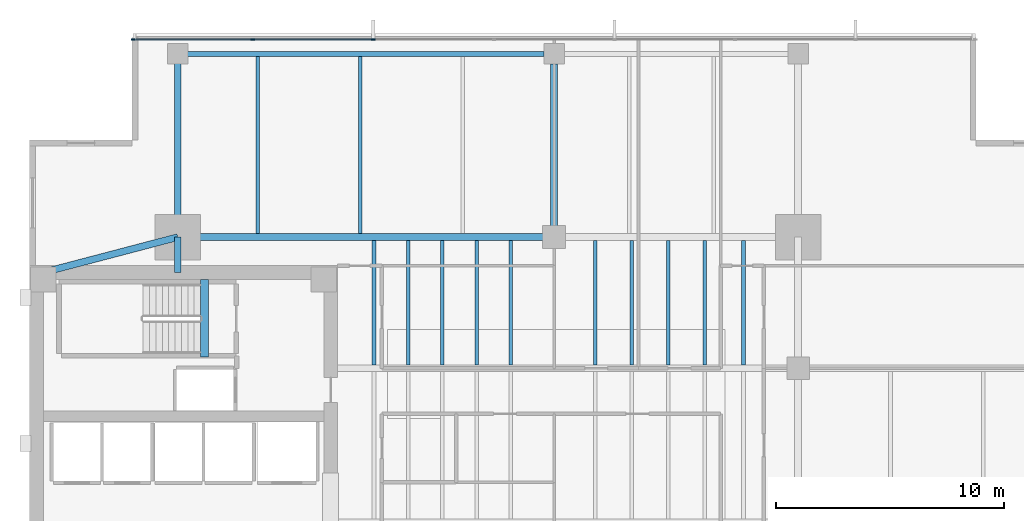
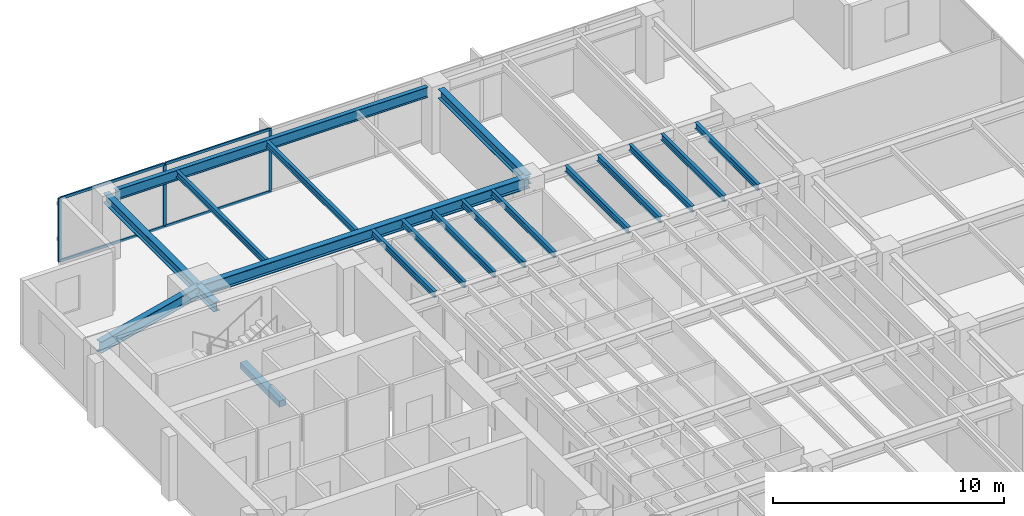
# One storey, part 5 of 14: 19 beams, 7 members, 1 element without a shape of its own.
"""IFC4 building model written with IfcOpenShell, lengths in metres."""

from ifc_helpers import new_model, si_unit, direction, frame, origin, origin_2d, place, context, subcontext, project, spatial, rectangle, i_section, extrude, material, layer, layer_set, material_profile, profile_set, type_object, element, aggregate, save


model = new_model("IFC4")

# Units and contexts
model_context = context("Model", 3, precision=1e-05, world=origin(), true_north=direction((0.0, 1.0)))
body_context = subcontext(model_context, "Body", "Model", "MODEL_VIEW")
ifc_project = project(units=[si_unit("LENGTHUNIT", "METRE"), si_unit("AREAUNIT", "SQUARE_METRE"), si_unit("VOLUMEUNIT", "CUBIC_METRE"), si_unit("PLANEANGLEUNIT", "RADIAN"), si_unit("MASSUNIT", "GRAM", prefix="KILO")], contexts=[model_context])

# Site, building, storey
site_placement = place(None, origin())
site = spatial("IfcSite", under=ifc_project, at=site_placement, CompositionType="ELEMENT")
building_placement = place(site_placement, origin())
building = spatial("IfcBuilding", under=site, at=building_placement, Name="Kinhvarn Gate Tower", CompositionType="ELEMENT")
storey_placement = place(building_placement, frame((0.0, 0.0, 151.949951171875)))
storey = spatial("IfcBuildingStorey", under=building, at=storey_placement, Name="L40", CompositionType="ELEMENT", Elevation=151.949951171875)

# Beam
ifc_material_1 = material(Name="Concrete C50/60", Category="concrete")
ifc_material_profile_1 = material_profile(ifc_material_1, rectangle(XDim=0.340087890625, YDim=0.320068359375, at=origin_2d()), Name="RC 340x320")
ifc_profile_set_1 = profile_set([ifc_material_profile_1], Name="Concrete C50/60")
beam_type_1 = type_object("IfcBeamType", Name="BM-LND-500", PredefinedType="BEAM", material=ifc_profile_set_1)
beam_1_placement = place(storey_placement, frame((12.1650390625, 32.5, -0.159912109375), z_axis=(0.0, 1.0, 0.0), x_axis=(-1.0, 0.0, 0.0)))
element("IfcBeam", 1, at=beam_1_placement, inside=storey, type_object=beam_type_1, Name="Stair ST2 Landing Nosing Beam (L40)", PredefinedType="BEAM", context=body_context, shape_type="SweptSolid", body=[
    extrude(rectangle(XDim=0.340087890625, YDim=0.320068359375, at=origin_2d()), origin(), (0.0, 0.0, 1.0), 3.39990234375),
])

# Curtain wall, members
ifc_material_2 = material(Name="Anodised aluminium AW-6063", Category="aluminium")
ifc_layer = layer(ifc_material_2, 0.179931640625)
ifc_layer_set = layer_set([ifc_layer], Name="Anodised aluminium AW-6063")
curtain_wall_type = type_object("IfcCurtainWallType", Name="CW-SYS-3", PredefinedType="NOTDEFINED", material=ifc_layer_set)
curtain_wall_placement = place(storey_placement, origin())
curtain_wall = element("IfcCurtainWall", 2, at=curtain_wall_placement, inside=storey, type_object=curtain_wall_type, Name="Curtain Wall CW3 (L40)", PredefinedType="NOTDEFINED")
ifc_material_profile_2 = material_profile(ifc_material_2, rectangle(XDim=0.06494140625, YDim=0.159912109375, at=origin_2d()), Name="ALU 65x160")
ifc_profile_set_2 = profile_set([ifc_material_profile_2], Name="Anodised aluminium AW-6063")
member_type_1 = type_object("IfcMemberType", Name="CW-MUL-160", PredefinedType="MULLION", material=ifc_profile_set_2)
member_1_placement = place(storey_placement, frame((19.571533203125, 46.409912109375, 0.0), z_axis=(0.0, 0.0, 1.0), x_axis=(0.0, -1.0, 0.0)))
member_1 = element("IfcMember", 3, at=member_1_placement, type_object=member_type_1, Name="CW3 mullion 6", PredefinedType="MULLION", context=body_context, shape_type="SweptSolid", body=[
    extrude(rectangle(XDim=0.06494140625, YDim=0.159912109375, at=origin_2d()), origin(), (0.0, 0.0, 1.0), 3.3701171875),
])
member_2_placement = place(storey_placement, frame((14.28564453125, 46.409912109375, 0.0), z_axis=(0.0, 0.0, 1.0), x_axis=(0.0, -1.0, 0.0)))
member_2 = element("IfcMember", 4, at=member_2_placement, type_object=member_type_1, Name="CW3 mullion 7", PredefinedType="MULLION", context=body_context, shape_type="SweptSolid", body=[
    extrude(rectangle(XDim=0.06494140625, YDim=0.159912109375, at=origin_2d()), origin(), (0.0, 0.0, 1.0), 3.3701171875),
])
member_3_placement = place(storey_placement, frame((9.032470703125, 46.409912109375, 0.0), z_axis=(0.0, 0.0, 1.0), x_axis=(0.0, -1.0, 0.0)))
member_3 = element("IfcMember", 5, at=member_3_placement, type_object=member_type_1, Name="CW3 mullion 8", PredefinedType="MULLION", context=body_context, shape_type="SweptSolid", body=[
    extrude(rectangle(XDim=0.06494140625, YDim=0.159912109375, at=origin_2d()), origin(), (0.0, 0.0, 1.0), 3.3701171875),
])
ifc_material_profile_3 = material_profile(ifc_material_2, rectangle(XDim=0.070068359375, YDim=0.139892578125, at=origin_2d()), Name="ALU 70x140")
ifc_profile_set_3 = profile_set([ifc_material_profile_3], Name="Anodised aluminium AW-6063")
member_type_2 = type_object("IfcMemberType", Name="CW-TRN-140", PredefinedType="USERDEFINED", material=ifc_profile_set_3)
member_4_placement = place(storey_placement, frame((19.538818359375, 46.409912109375, 0.03515625), z_axis=(-1.0, 0.0, 0.0), x_axis=(0.0, -1.0, 0.0)))
member_4 = element("IfcMember", 6, at=member_4_placement, type_object=member_type_2, Name="CW3 transom 6.1", ObjectType="TRANSOM", PredefinedType="USERDEFINED", context=body_context, shape_type="SweptSolid", body=[
    extrude(rectangle(XDim=0.070068359375, YDim=0.139892578125, at=origin_2d()), origin(), (0.0, 0.0, 1.0), 5.220703125),
])
member_5_placement = place(storey_placement, frame((19.538818359375, 46.409912109375, 3.3349609375), z_axis=(-1.0, 0.0, 0.0), x_axis=(0.0, -1.0, 0.0)))
member_5 = element("IfcMember", 7, at=member_5_placement, type_object=member_type_2, Name="CW3 transom 6.2", ObjectType="TRANSOM", PredefinedType="USERDEFINED", context=body_context, shape_type="SweptSolid", body=[
    extrude(rectangle(XDim=0.070068359375, YDim=0.139892578125, at=origin_2d()), origin(), (0.0, 0.0, 1.0), 5.220703125),
])
member_6_placement = place(storey_placement, frame((14.253173828125, 46.409912109375, 0.03515625), z_axis=(-1.0, 0.0, 0.0), x_axis=(0.0, -1.0, 0.0)))
member_6 = element("IfcMember", 8, at=member_6_placement, type_object=member_type_2, Name="CW3 transom 7.1", ObjectType="TRANSOM", PredefinedType="USERDEFINED", context=body_context, shape_type="SweptSolid", body=[
    extrude(rectangle(XDim=0.070068359375, YDim=0.139892578125, at=origin_2d()), origin(), (0.0, 0.0, 1.0), 5.188232421875),
])
member_7_placement = place(storey_placement, frame((14.253173828125, 46.409912109375, 3.3349609375), z_axis=(-1.0, 0.0, 0.0), x_axis=(0.0, -1.0, 0.0)))
member_7 = element("IfcMember", 9, at=member_7_placement, type_object=member_type_2, Name="CW3 transom 7.2", ObjectType="TRANSOM", PredefinedType="USERDEFINED", context=body_context, shape_type="SweptSolid", body=[
    extrude(rectangle(XDim=0.070068359375, YDim=0.139892578125, at=origin_2d()), origin(), (0.0, 0.0, 1.0), 5.188232421875),
])
aggregate(curtain_wall, [member_1, member_2, member_3, member_4, member_5, member_6, member_7])

# Beams
ifc_material_3 = material(Name="Steel S355", Category="steel")
ifc_material_profile_4 = material_profile(ifc_material_3, i_section(OverallWidth=0.300048828125, OverallDepth=0.5, WebThickness=0.014404296875, FlangeThickness=0.028076171875, at=origin_2d()), Name="HEB 500")
ifc_profile_set_4 = profile_set([ifc_material_profile_4], Name="Steel S355")
beam_type_2 = type_object("IfcBeamType", Name="STL-HEB500", PredefinedType="BEAM", material=ifc_profile_set_4)
beam_2_placement = place(storey_placement, frame((11.0, 36.199951171875, 3.1201171875), z_axis=(0.0, 1.0, 0.0), x_axis=(-1.0, 0.0, 0.0)))
element("IfcBeam", 10, at=beam_2_placement, inside=storey, type_object=beam_type_2, Name="Floor Beam PG-14 (L40 MCW-CN)", PredefinedType="BEAM", context=body_context, shape_type="SweptSolid", body=[
    extrude(i_section(OverallWidth=0.300048828125, OverallDepth=0.5, WebThickness=0.014404296875, FlangeThickness=0.028076171875, at=origin_2d()), origin(), (0.0, 0.0, 1.0), 1.550048828125),
])
beam_3_placement = place(storey_placement, frame((11.0, 37.75, 3.1201171875), z_axis=(0.0, 1.0, 0.0), x_axis=(-1.0, 0.0, 0.0)))
element("IfcBeam", 11, at=beam_3_placement, inside=storey, type_object=beam_type_2, Name="Floor Beam PG-14 (L40 MCW-N)", PredefinedType="BEAM", context=body_context, shape_type="SweptSolid", body=[
    extrude(i_section(OverallWidth=0.300048828125, OverallDepth=0.5, WebThickness=0.014404296875, FlangeThickness=0.028076171875, at=origin_2d()), origin(), (0.0, 0.0, 1.0), 8.030029296875),
])
beam_4_placement = place(storey_placement, frame((27.5, 37.75, 3.1201171875), z_axis=(0.0, 1.0, 0.0), x_axis=(-1.0, 0.0, 0.0)))
element("IfcBeam", 12, at=beam_4_placement, inside=storey, type_object=beam_type_2, Name="Floor Beam PG-14 (L40 SP27-N-TIE)", PredefinedType="BEAM", context=body_context, shape_type="SweptSolid", body=[
    extrude(i_section(OverallWidth=0.300048828125, OverallDepth=0.5, WebThickness=0.014404296875, FlangeThickness=0.028076171875, at=origin_2d()), origin(), (0.0, 0.0, 1.0), 7.594970703125),
])
ifc_material_profile_5 = material_profile(ifc_material_3, i_section(OverallWidth=0.300048828125, OverallDepth=0.60009765625, WebThickness=0.015380859375, FlangeThickness=0.030029296875, at=origin_2d()), Name="HEB 600")
ifc_profile_set_5 = profile_set([ifc_material_profile_5], Name="Steel S355")
beam_type_3 = type_object("IfcBeamType", Name="STL-HEB600", PredefinedType="BEAM", material=ifc_profile_set_5)
beam_5_placement = place(storey_placement, frame((11.0, 37.75, 3.070068359375), z_axis=(1.0, 0.0, 0.0), x_axis=(0.0, 1.0, 0.0)))
element("IfcBeam", 13, at=beam_5_placement, inside=storey, type_object=beam_type_3, Name="Floor Beam PG-16 (L40 MG-N1)", PredefinedType="BEAM", context=body_context, shape_type="SweptSolid", body=[
    extrude(i_section(OverallWidth=0.300048828125, OverallDepth=0.60009765625, WebThickness=0.015380859375, FlangeThickness=0.030029296875, at=origin_2d()), origin(), (0.0, 0.0, 1.0), 16.5),
])
beam_6_placement = place(storey_placement, frame((5.10009765625, 36.199951171875, 3.070068359375), z_axis=(0.967177623957, 0.254101246979, 0.0), x_axis=(-0.254101246979, 0.967177623957, 0.0)))
element("IfcBeam", 14, at=beam_6_placement, inside=storey, type_object=beam_type_3, Name="Floor Beam PG-16 (L40 MG-NW-DIAG)", PredefinedType="BEAM", context=body_context, shape_type="SweptSolid", body=[
    extrude(i_section(OverallWidth=0.300048828125, OverallDepth=0.60009765625, WebThickness=0.015380859375, FlangeThickness=0.030029296875, at=origin_2d()), origin(), (0.0, 0.0, 1.0), 6.10009765625),
])
ifc_material_profile_6 = material_profile(ifc_material_3, i_section(OverallWidth=0.159912109375, OverallDepth=0.330078125, WebThickness=0.007568359375, FlangeThickness=0.011474609375, at=origin_2d()), Name="IPE 330")
ifc_profile_set_6 = profile_set([ifc_material_profile_6], Name="Steel S355")
beam_type_4 = type_object("IfcBeamType", Name="STL-IPE330", PredefinedType="JOIST", material=ifc_profile_set_6)
for number, where, z_axis, x_axis, name in (
    (15, (19.60009765625, 32.14990234375, 3.205078125), (0.0, 1.0, 0.0), (-1.0, 0.0, 0.0), "Floor Joist SB-03 (L40 JC-X196-3)"),
    (16, (21.10009765625, 32.14990234375, 3.205078125), (0.0, 1.0, 0.0), (-1.0, 0.0, 0.0), "Floor Joist SB-03 (L40 JC-X211-3)"),
    (17, (22.60009765625, 32.14990234375, 3.205078125), (0.0, 1.0, 0.0), (-1.0, 0.0, 0.0), "Floor Joist SB-03 (L40 JC-X226-3)"),
    (18, (24.10009765625, 32.14990234375, 3.205078125), (0.0, 1.0, 0.0), (-1.0, 0.0, 0.0), "Floor Joist SB-03 (L40 JC-X241-3)"),
    (19, (25.60009765625, 32.14990234375, 3.205078125), (0.0, 1.0, 0.0), (-1.0, 0.0, 0.0), "Floor Joist SB-03 (L40 JC-X256-3)"),
    (20, (29.300048828125, 32.14990234375, 3.205078125), (0.0, 1.0, 0.0), (-1.0, 0.0, 0.0), "Floor Joist SB-03 (L40 JC-X293-3)"),
    (21, (30.89990234375, 32.14990234375, 3.205078125), (0.0, 1.0, 0.0), (-1.0, 0.0, 0.0), "Floor Joist SB-03 (L40 JC-X309-3)"),
    (22, (32.5, 32.14990234375, 3.205078125), (0.0, 1.0, 0.0), (-1.0, 0.0, 0.0), "Floor Joist SB-03 (L40 JC-X325-3)"),
    (23, (34.10009765625, 32.14990234375, 3.205078125), (0.0, 1.0, 0.0), (-1.0, 0.0, 0.0), "Floor Joist SB-03 (L40 JC-X341-3)"),
    (24, (35.800048828125, 32.14990234375, 3.205078125), (0.0, 1.0, 0.0), (-1.0, 0.0, 0.0), "Floor Joist SB-03 (L40 JC-X358-3)"),
):
    element("IfcBeam", number, at=place(storey_placement, frame(where, z_axis=z_axis, x_axis=x_axis)), inside=storey, type_object=beam_type_4, Name=name, PredefinedType="JOIST", context=body_context, shape_type="SweptSolid", body=[
        extrude(i_section(OverallWidth=0.159912109375, OverallDepth=0.330078125, WebThickness=0.007568359375, FlangeThickness=0.011474609375, at=origin_2d()), origin(), (0.0, 0.0, 1.0), 5.4501953125),
    ])
for number, where, z_axis, x_axis, name in (
    (25, (14.5, 37.89990234375, 3.205078125), (0.0, 1.0, 0.0), (-1.0, 0.0, 0.0), "Floor Joist SB-03 (L40 JN-X145)"),
    (26, (19.0, 37.89990234375, 3.205078125), (0.0, 1.0, 0.0), (-1.0, 0.0, 0.0), "Floor Joist SB-03 (L40 JN-X190)"),
):
    element("IfcBeam", number, at=place(storey_placement, frame(where, z_axis=z_axis, x_axis=x_axis)), inside=storey, type_object=beam_type_4, Name=name, PredefinedType="JOIST", context=body_context, shape_type="SweptSolid", body=[
        extrude(i_section(OverallWidth=0.159912109375, OverallDepth=0.330078125, WebThickness=0.007568359375, FlangeThickness=0.011474609375, at=origin_2d()), origin(), (0.0, 0.0, 1.0), 7.775146484375),
    ])
ifc_material_profile_7 = material_profile(ifc_material_3, i_section(OverallWidth=0.2099609375, OverallDepth=0.550048828125, WebThickness=0.010986328125, FlangeThickness=0.01708984375, at=origin_2d()), Name="IPE 550")
ifc_profile_set_7 = profile_set([ifc_material_profile_7], Name="Steel S355")
beam_type_5 = type_object("IfcBeamType", Name="STL-IPE550", PredefinedType="SPANDREL", material=ifc_profile_set_7)
beam_7_placement = place(storey_placement, frame((11.43505859375, 45.780029296875, 3.094970703125), z_axis=(1.0, 0.0, 0.0), x_axis=(0.0, 1.0, 0.0)))
element("IfcBeam", 27, at=beam_7_placement, inside=storey, type_object=beam_type_5, Name="Floor Spandrel SB-08 (L40 SP-N1)", PredefinedType="SPANDREL", context=body_context, shape_type="SweptSolid", body=[
    extrude(i_section(OverallWidth=0.2099609375, OverallDepth=0.550048828125, WebThickness=0.010986328125, FlangeThickness=0.01708984375, at=origin_2d()), origin(), (0.0, 0.0, 1.0), 15.6298828125),
])

save(model, "model.ifc")
